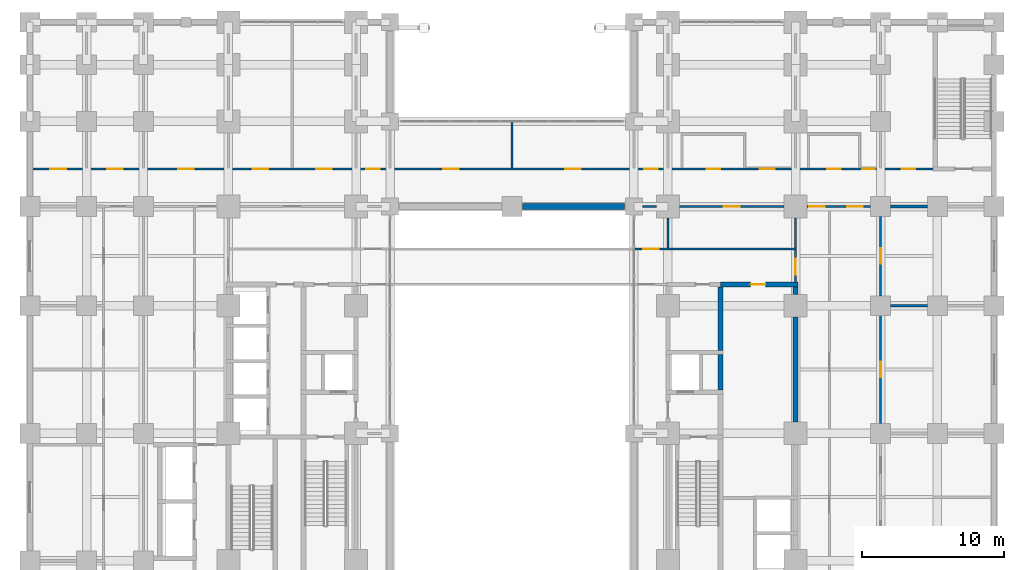
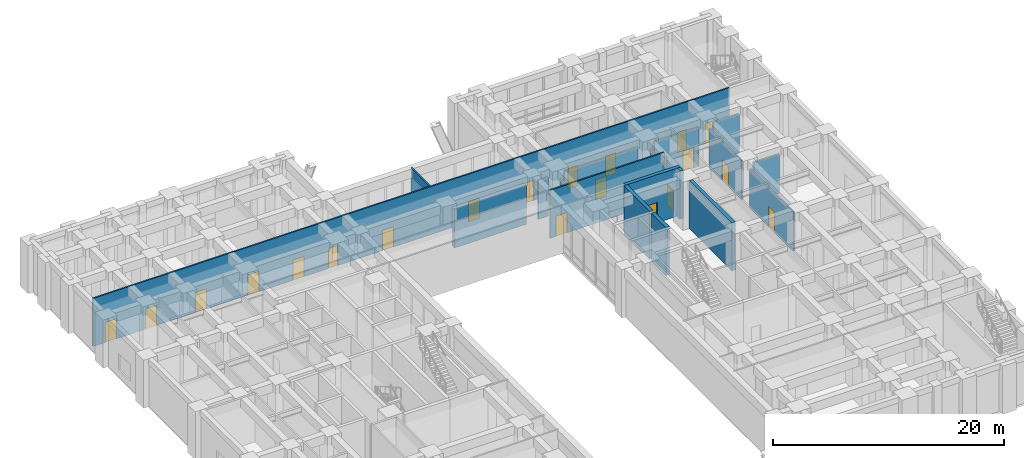
# One storey, part 15 of 23: 22 doors, 19 walls, 22 openings.
"""IFC4 building model written with IfcOpenShell, lengths in metres."""

from ifc_helpers import new_model, si_unit, direction, frame, frame_2d, origin, place, context, subcontext, project, spatial, rectangle, extrude, material, layer, layer_set, type_object, element, fill, save


model = new_model("IFC4")

# Units and contexts
model_context = context("Model", 3, precision=1e-05, world=origin(), true_north=direction((0.0, 1.0)))
body_context = subcontext(model_context, "Body", "Model", "MODEL_VIEW")
ifc_project = project(units=[si_unit("LENGTHUNIT", "METRE"), si_unit("AREAUNIT", "SQUARE_METRE"), si_unit("VOLUMEUNIT", "CUBIC_METRE"), si_unit("PLANEANGLEUNIT", "RADIAN"), si_unit("MASSUNIT", "GRAM", prefix="KILO")], contexts=[model_context])

# Site, building, storey
site_placement = place(None, origin())
site = spatial("IfcSite", under=ifc_project, at=site_placement, CompositionType="ELEMENT")
building_placement = place(site_placement, origin())
building = spatial("IfcBuilding", under=site, at=building_placement, Name="Zulmaris Gate Convention Tower", CompositionType="ELEMENT")
storey_placement = place(building_placement, frame((0.0, 0.0, 10.8798828125)))
storey = spatial("IfcBuildingStorey", under=building, at=storey_placement, Name="L02", CompositionType="ELEMENT", Elevation=10.8798828125)

# Wall, opening, door
ifc_material_1 = material(Name="Concrete C55/67", Category="concrete")
ifc_layer_1 = layer(ifc_material_1, 0.35009765625, Name="Concrete C55/67")
ifc_layer_set_1 = layer_set([ifc_layer_1], Name="Concrete C55/67")
wall_type_1 = type_object("IfcWallType", Name="CORE-350", PredefinedType="SHEAR", material=ifc_layer_set_1)
wall_1_placement = place(storey_placement, frame((14.699951171875, 10.5, 0.0), z_axis=(0.0, 0.0, 1.0), x_axis=(1.0, 0.0, 0.0)))
wall_1 = element("IfcWall", 1, at=wall_1_placement, inside=storey, type_object=wall_type_1, Name="WL-L02-026", PredefinedType="SHEAR", context=body_context, shape_type="SweptSolid", body=[
    extrude(rectangle(XDim=5.47509765625, YDim=0.35009765625, at=frame_2d((2.737548828125, 0.0))), origin(), (0.0, 0.0, 1.0), 5.09033203125),
])
opening_1_placement = place(wall_1_placement, frame((2.125, 0.0, 0.0)))
opening_1 = element("IfcOpeningElement", 2, at=opening_1_placement, cuts=wall_1, Name="Opening D-09", PredefinedType="OPENING", context=body_context, shape_type="SweptSolid", body=[
    extrude(rectangle(XDim=1.050048828125, YDim=2.14990234375, at=frame_2d((0.52490234375, 1.074951171875))), frame((0.0, 0.18505859375, 0.0), z_axis=(0.0, -1.0, 0.0), x_axis=(1.0, 0.0, 0.0)), (0.0, 0.0, 1.0), 0.3701171875),
])
ifc_material_2 = material(Name="Fire-Rated Steel", Category="steel")
door_type_1 = type_object("IfcDoorType", Name="DR-1050-FD", OperationType="NOTDEFINED", PredefinedType="DOOR", material=ifc_material_2)
door_1_placement = place(opening_1_placement, origin())
door_1 = element("IfcDoor", 3, at=door_1_placement, inside=storey, type_object=door_type_1, Name="L02 East Comms Room Door 16", OperationType="SINGLE_SWING_LEFT", OverallHeight=2.14990234375, OverallWidth=1.050048828125, PredefinedType="DOOR", context=body_context, shape_type="SweptSolid", body=[
    extrude(rectangle(XDim=1.050048828125, YDim=2.14990234375, at=frame_2d((0.52490234375, 1.074951171875))), frame((0.0, 0.02490234375, 0.0), z_axis=(0.0, -1.0, 0.0), x_axis=(1.0, 0.0, 0.0)), (0.0, 0.0, 1.0), 0.050048828125),
])
fill(opening_1, door_1)

# Walls
wall_2_placement = place(storey_placement, frame((14.699951171875, 3.052001953125, 0.0), z_axis=(0.0, 0.0, 1.0), x_axis=(0.0, 1.0, 0.0)))
element("IfcWall", 4, at=wall_2_placement, inside=storey, type_object=wall_type_1, Name="WL-L02-099", PredefinedType="SHEAR", context=body_context, shape_type="SweptSolid", body=[
    extrude(rectangle(XDim=2.49609375, YDim=0.35009765625, at=frame_2d((1.248046875, 0.0))), origin(), (0.0, 0.0, 1.0), 5.09033203125),
])
wall_3_placement = place(storey_placement, frame((14.699951171875, 5.85205078125, 0.0), z_axis=(0.0, 0.0, 1.0), x_axis=(0.0, 1.0, 0.0)))
element("IfcWall", 5, at=wall_3_placement, inside=storey, type_object=wall_type_1, Name="WL-L02-100", PredefinedType="SHEAR", context=body_context, shape_type="SweptSolid", body=[
    extrude(rectangle(XDim=4.470947265625, YDim=0.35009765625, at=frame_2d((2.2353515625, 0.0))), origin(), (0.0, 0.0, 1.0), 5.09033203125),
])
wall_4_placement = place(storey_placement, frame((20.0, 0.803955078125, 0.0), z_axis=(0.0, 0.0, 1.0), x_axis=(0.0, 1.0, 0.0)))
element("IfcWall", 6, at=wall_4_placement, inside=storey, type_object=wall_type_1, Name="WL-L02-105S1", PredefinedType="SHEAR", context=body_context, shape_type="SweptSolid", body=[
    extrude(rectangle(XDim=7.39208984375, YDim=0.35009765625, at=frame_2d((3.696044921875, 0.0))), origin(), (0.0, 0.0, 1.0), 5.09033203125),
])
wall_5_placement = place(storey_placement, frame((20.0, 9.803955078125, 0.0), z_axis=(0.0, 0.0, 1.0), x_axis=(0.0, 1.0, 0.0)))
element("IfcWall", 7, at=wall_5_placement, inside=storey, type_object=wall_type_1, Name="WL-L02-105S2", PredefinedType="SHEAR", context=body_context, shape_type="SweptSolid", body=[
    extrude(rectangle(XDim=0.51904296875, YDim=0.35009765625, at=frame_2d((0.259521484375, 0.0))), origin(), (0.0, 0.0, 1.0), 5.09033203125),
])

# Wall, opening, door
ifc_material_3 = material(Name="Gypsum Metal Stud Partition")
ifc_layer_2 = layer(ifc_material_3, 0.14990234375, Name="Gypsum Metal Stud Partition")
ifc_layer_set_2 = layer_set([ifc_layer_2], Name="Gypsum Metal Stud Partition")
wall_type_2 = type_object("IfcWallType", Name="PART-150", PredefinedType="PARTITIONING", material=ifc_layer_set_2)
wall_6_placement = place(storey_placement, frame((8.659912109375, 13.0, 0.0), z_axis=(0.0, 0.0, 1.0), x_axis=(1.0, 0.0, 0.0)))
wall_6 = element("IfcWall", 8, at=wall_6_placement, inside=storey, type_object=wall_type_2, Name="WL-L02-054", PredefinedType="PARTITIONING", context=body_context, shape_type="SweptSolid", body=[
    extrude(rectangle(XDim=11.4150390625, YDim=0.14990234375, at=frame_2d((5.70751953125, 0.0))), origin(), (0.0, 0.0, 1.0), 5.09033203125),
])
opening_2_placement = place(wall_6_placement, frame((0.590087890625, 0.0, 0.0)))
opening_2 = element("IfcOpeningElement", 9, at=opening_2_placement, cuts=wall_6, Name="Opening D-08", PredefinedType="OPENING", context=body_context, shape_type="SweptSolid", body=[
    extrude(rectangle(XDim=1.10009765625, YDim=2.14990234375, at=frame_2d((0.550048828125, 1.074951171875))), frame((0.0, 0.0849609375, 0.0), z_axis=(0.0, -1.0, 0.0), x_axis=(1.0, 0.0, 0.0)), (0.0, 0.0, 1.0), 0.169921875),
])
door_type_2 = type_object("IfcDoorType", Name="DR-1100-FD", OperationType="NOTDEFINED", PredefinedType="DOOR", material=ifc_material_2)
door_2_placement = place(opening_2_placement, origin())
door_2 = element("IfcDoor", 10, at=door_2_placement, inside=storey, type_object=door_type_2, Name="L02 East Spine North Door 34", OperationType="SINGLE_SWING_LEFT", OverallHeight=2.14990234375, OverallWidth=1.10009765625, PredefinedType="DOOR", context=body_context, shape_type="SweptSolid", body=[
    extrude(rectangle(XDim=1.10009765625, YDim=2.14990234375, at=frame_2d((0.550048828125, 1.074951171875))), frame((0.0, 0.02490234375, 0.0), z_axis=(0.0, -1.0, 0.0), x_axis=(1.0, 0.0, 0.0)), (0.0, 0.0, 1.0), 0.050048828125),
])
fill(opening_2, door_2)

# Wall
wall_7_placement = place(storey_placement, frame((9.2060546875, 16.0, 0.0), z_axis=(0.0, 0.0, 1.0), x_axis=(1.0, 0.0, 0.0)))
element("IfcWall", 11, at=wall_7_placement, inside=storey, type_object=wall_type_2, Name="WL-L02-059", PredefinedType="PARTITIONING", context=body_context, shape_type="SweptSolid", body=[
    extrude(rectangle(XDim=0.988037109375, YDim=0.14990234375, at=frame_2d((0.494140625, 0.0))), origin(), (0.0, 0.0, 1.0), 4.13232421875),
])

# Wall, opening, door
wall_8_placement = place(storey_placement, frame((11.805908203125, 16.0, 0.0), z_axis=(0.0, 0.0, 1.0), x_axis=(1.0, 0.0, 0.0)))
wall_8 = element("IfcWall", 12, at=wall_8_placement, inside=storey, type_object=wall_type_2, Name="WL-L02-060", PredefinedType="PARTITIONING", context=body_context, shape_type="SweptSolid", body=[
    extrude(rectangle(XDim=7.38818359375, YDim=0.14990234375, at=frame_2d((3.694091796875, 0.0))), origin(), (0.0, 0.0, 1.0), 4.13232421875),
])
opening_3_placement = place(wall_8_placement, frame((3.14404296875, 0.0, 0.0)))
opening_3 = element("IfcOpeningElement", 13, at=opening_3_placement, cuts=wall_8, Name="Opening D-21", PredefinedType="OPENING", context=body_context, shape_type="SweptSolid", body=[
    extrude(rectangle(XDim=1.10009765625, YDim=2.14990234375, at=frame_2d((0.550048828125, 1.074951171875))), frame((0.0, 0.0849609375, 0.0), z_axis=(0.0, -1.0, 0.0), x_axis=(1.0, 0.0, 0.0)), (0.0, 0.0, 1.0), 0.169921875),
])
ifc_material_4 = material(Name="Acoustic Hardwood Timber", Category="wood")
door_type_3 = type_object("IfcDoorType", Name="DR-1100", OperationType="NOTDEFINED", PredefinedType="DOOR", material=ifc_material_4)
door_3_placement = place(opening_3_placement, origin())
door_3 = element("IfcDoor", 14, at=door_3_placement, inside=storey, type_object=door_type_3, Name="L02 NE Breakout Salon Door 26", OperationType="SINGLE_SWING_LEFT", OverallHeight=2.14990234375, OverallWidth=1.10009765625, PredefinedType="DOOR", context=body_context, shape_type="SweptSolid", body=[
    extrude(rectangle(XDim=1.10009765625, YDim=2.14990234375, at=frame_2d((0.550048828125, 1.074951171875))), frame((0.0, 0.02490234375, 0.0), z_axis=(0.0, -1.0, 0.0), x_axis=(1.0, 0.0, 0.0)), (0.0, 0.0, 1.0), 0.050048828125),
])
fill(opening_3, door_3)

# Wall, openings, doors
wall_9_placement = place(storey_placement, frame((20.805908203125, 16.0, 0.0), z_axis=(0.0, 0.0, 1.0), x_axis=(1.0, 0.0, 0.0)))
wall_9 = element("IfcWall", 15, at=wall_9_placement, inside=storey, type_object=wall_type_2, Name="WL-L02-061", PredefinedType="PARTITIONING", context=body_context, shape_type="SweptSolid", body=[
    extrude(rectangle(XDim=4.488037109375, YDim=0.14990234375, at=frame_2d((2.244140625, 0.0))), origin(), (0.0, 0.0, 1.0), 4.13232421875),
])
opening_4_placement = place(wall_9_placement, frame((0.14990234375, 0.0, 0.0)))
opening_4 = element("IfcOpeningElement", 16, at=opening_4_placement, cuts=wall_9, Name="Opening D-08", PredefinedType="OPENING", context=body_context, shape_type="SweptSolid", body=[
    extrude(rectangle(XDim=1.10009765625, YDim=2.14990234375, at=frame_2d((0.550048828125, 1.074951171875))), frame((0.0, 0.0849609375, 0.0), z_axis=(0.0, -1.0, 0.0), x_axis=(1.0, 0.0, 0.0)), (0.0, 0.0, 1.0), 0.169921875),
])
opening_5_placement = place(wall_9_placement, frame((2.843994140625, 0.0, 0.0)))
opening_5 = element("IfcOpeningElement", 17, at=opening_5_placement, cuts=wall_9, Name="Opening D-08", PredefinedType="OPENING", context=body_context, shape_type="SweptSolid", body=[
    extrude(rectangle(XDim=1.10009765625, YDim=2.14990234375, at=frame_2d((0.550048828125, 1.074951171875))), frame((0.0, 0.0849609375, 0.0), z_axis=(0.0, -1.0, 0.0), x_axis=(1.0, 0.0, 0.0)), (0.0, 0.0, 1.0), 0.169921875),
])
door_4_placement = place(opening_4_placement, origin())
door_4 = element("IfcDoor", 18, at=door_4_placement, inside=storey, type_object=door_type_2, Name="L02 East Concourse Link Door 32", OperationType="SINGLE_SWING_LEFT", OverallHeight=2.14990234375, OverallWidth=1.10009765625, PredefinedType="DOOR", context=body_context, shape_type="SweptSolid", body=[
    extrude(rectangle(XDim=1.10009765625, YDim=2.14990234375, at=frame_2d((0.550048828125, 1.074951171875))), frame((0.0, 0.02490234375, 0.0), z_axis=(0.0, -1.0, 0.0), x_axis=(1.0, 0.0, 0.0)), (0.0, 0.0, 1.0), 0.050048828125),
])
fill(opening_4, door_4)
door_5_placement = place(opening_5_placement, origin())
door_5 = element("IfcDoor", 19, at=door_5_placement, inside=storey, type_object=door_type_2, Name="L02 East Promenade Concourse Door 68", OperationType="SINGLE_SWING_LEFT", OverallHeight=2.14990234375, OverallWidth=1.10009765625, PredefinedType="DOOR", context=body_context, shape_type="SweptSolid", body=[
    extrude(rectangle(XDim=1.10009765625, YDim=2.14990234375, at=frame_2d((0.550048828125, 1.074951171875))), frame((0.0, 0.02490234375, 0.0), z_axis=(0.0, -1.0, 0.0), x_axis=(1.0, 0.0, 0.0)), (0.0, 0.0, 1.0), 0.050048828125),
])
fill(opening_5, door_5)

wall_10_placement = place(storey_placement, frame((-33.8349609375, 18.64990234375, 0.0), z_axis=(0.0, 0.0, 1.0), x_axis=(1.0, 0.0, 0.0)))
wall_10 = element("IfcWall", 20, at=wall_10_placement, inside=storey, type_object=wall_type_2, Name="WL-L02-063", PredefinedType="PARTITIONING", context=body_context, shape_type="SweptSolid", body=[
    extrude(rectangle(XDim=63.68505859375, YDim=0.14990234375, at=frame_2d((31.842529296875, 0.0))), origin(), (0.0, 0.0, 1.0), 5.09033203125),
])
opening_6_placement = place(wall_10_placement, frame((1.284912109375, 0.0, 0.0)))
opening_6 = element("IfcOpeningElement", 21, at=opening_6_placement, cuts=wall_10, Name="Opening D-08", PredefinedType="OPENING", context=body_context, shape_type="SweptSolid", body=[
    extrude(rectangle(XDim=1.10009765625, YDim=2.14990234375, at=frame_2d((0.550048828125, 1.074951171875))), frame((0.0, 0.0849609375, 0.0), z_axis=(0.0, -1.0, 0.0), x_axis=(1.0, 0.0, 0.0)), (0.0, 0.0, 1.0), 0.169921875),
])
opening_7_placement = place(wall_10_placement, frame((5.284912109375, 0.0, 0.0)))
opening_7 = element("IfcOpeningElement", 22, at=opening_7_placement, cuts=wall_10, Name="Opening D-08", PredefinedType="OPENING", context=body_context, shape_type="SweptSolid", body=[
    extrude(rectangle(XDim=1.10009765625, YDim=2.14990234375, at=frame_2d((0.550048828125, 1.074951171875))), frame((0.0, 0.0849609375, 0.0), z_axis=(0.0, -1.0, 0.0), x_axis=(1.0, 0.0, 0.0)), (0.0, 0.0, 1.0), 0.169921875),
])
opening_8_placement = place(wall_10_placement, frame((10.284912109375, 0.0, 0.0)))
opening_8 = element("IfcOpeningElement", 23, at=opening_8_placement, cuts=wall_10, Name="Opening D-08", PredefinedType="OPENING", context=body_context, shape_type="SweptSolid", body=[
    extrude(rectangle(XDim=1.10009765625, YDim=2.14990234375, at=frame_2d((0.550048828125, 1.074951171875))), frame((0.0, 0.0849609375, 0.0), z_axis=(0.0, -1.0, 0.0), x_axis=(1.0, 0.0, 0.0)), (0.0, 0.0, 1.0), 0.169921875),
])
opening_9_placement = place(wall_10_placement, frame((15.534912109375, 0.0, 0.0)))
opening_9 = element("IfcOpeningElement", 24, at=opening_9_placement, cuts=wall_10, Name="Opening D-08", PredefinedType="OPENING", context=body_context, shape_type="SweptSolid", body=[
    extrude(rectangle(XDim=1.10009765625, YDim=2.14990234375, at=frame_2d((0.550048828125, 1.074951171875))), frame((0.0, 0.0849609375, 0.0), z_axis=(0.0, -1.0, 0.0), x_axis=(1.0, 0.0, 0.0)), (0.0, 0.0, 1.0), 0.169921875),
])
opening_10_placement = place(wall_10_placement, frame((20.034912109375, 0.0, 0.0)))
opening_10 = element("IfcOpeningElement", 25, at=opening_10_placement, cuts=wall_10, Name="Opening D-08", PredefinedType="OPENING", context=body_context, shape_type="SweptSolid", body=[
    extrude(rectangle(XDim=1.10009765625, YDim=2.14990234375, at=frame_2d((0.550048828125, 1.074951171875))), frame((0.0, 0.0849609375, 0.0), z_axis=(0.0, -1.0, 0.0), x_axis=(1.0, 0.0, 0.0)), (0.0, 0.0, 1.0), 0.169921875),
])
opening_11_placement = place(wall_10_placement, frame((23.56005859375, 0.0, 0.0)))
opening_11 = element("IfcOpeningElement", 26, at=opening_11_placement, cuts=wall_10, Name="Opening D-11", PredefinedType="OPENING", context=body_context, shape_type="SweptSolid", body=[
    extrude(rectangle(XDim=0.949951171875, YDim=2.14990234375, at=frame_2d((0.47509765625, 1.074951171875))), frame((0.0, 0.0849609375, 0.0), z_axis=(0.0, -1.0, 0.0), x_axis=(1.0, 0.0, 0.0)), (0.0, 0.0, 1.0), 0.169921875),
])
opening_12_placement = place(wall_10_placement, frame((28.985107421875, 0.0, 0.0)))
opening_12 = element("IfcOpeningElement", 27, at=opening_12_placement, cuts=wall_10, Name="Opening D-08", PredefinedType="OPENING", context=body_context, shape_type="SweptSolid", body=[
    extrude(rectangle(XDim=1.10009765625, YDim=2.14990234375, at=frame_2d((0.550048828125, 1.074951171875))), frame((0.0, 0.0849609375, 0.0), z_axis=(0.0, -1.0, 0.0), x_axis=(1.0, 0.0, 0.0)), (0.0, 0.0, 1.0), 0.169921875),
])
opening_13_placement = place(wall_10_placement, frame((37.5849609375, 0.0, 0.0)))
opening_13 = element("IfcOpeningElement", 28, at=opening_13_placement, cuts=wall_10, Name="Opening D-08", PredefinedType="OPENING", context=body_context, shape_type="SweptSolid", body=[
    extrude(rectangle(XDim=1.10009765625, YDim=2.14990234375, at=frame_2d((0.550048828125, 1.074951171875))), frame((0.0, 0.0849609375, 0.0), z_axis=(0.0, -1.0, 0.0), x_axis=(1.0, 0.0, 0.0)), (0.0, 0.0, 1.0), 0.169921875),
])
opening_14_placement = place(wall_10_placement, frame((43.159912109375, 0.0, 0.0)))
opening_14 = element("IfcOpeningElement", 29, at=opening_14_placement, cuts=wall_10, Name="Opening D-11", PredefinedType="OPENING", context=body_context, shape_type="SweptSolid", body=[
    extrude(rectangle(XDim=0.949951171875, YDim=2.14990234375, at=frame_2d((0.47509765625, 1.074951171875))), frame((0.0, 0.0849609375, 0.0), z_axis=(0.0, -1.0, 0.0), x_axis=(1.0, 0.0, 0.0)), (0.0, 0.0, 1.0), 0.169921875),
])
opening_15_placement = place(wall_10_placement, frame((61.31005859375, 0.0, 0.0)))
opening_15 = element("IfcOpeningElement", 30, at=opening_15_placement, cuts=wall_10, Name="Opening D-11", PredefinedType="OPENING", context=body_context, shape_type="SweptSolid", body=[
    extrude(rectangle(XDim=0.949951171875, YDim=2.14990234375, at=frame_2d((0.47509765625, 1.074951171875))), frame((0.0, 0.0849609375, 0.0), z_axis=(0.0, -1.0, 0.0), x_axis=(1.0, 0.0, 0.0)), (0.0, 0.0, 1.0), 0.169921875),
])
opening_16_placement = place(wall_10_placement, frame((47.56005859375, 0.0, 0.0)))
opening_16 = element("IfcOpeningElement", 31, at=opening_16_placement, cuts=wall_10, Name="Opening D-11", PredefinedType="OPENING", context=body_context, shape_type="SweptSolid", body=[
    extrude(rectangle(XDim=0.949951171875, YDim=2.14990234375, at=frame_2d((0.47509765625, 1.074951171875))), frame((0.0, 0.0849609375, 0.0), z_axis=(0.0, -1.0, 0.0), x_axis=(1.0, 0.0, 0.0)), (0.0, 0.0, 1.0), 0.169921875),
])
opening_17_placement = place(wall_10_placement, frame((51.31005859375, 0.0, 0.0)))
opening_17 = element("IfcOpeningElement", 32, at=opening_17_placement, cuts=wall_10, Name="Opening D-09", PredefinedType="OPENING", context=body_context, shape_type="SweptSolid", body=[
    extrude(rectangle(XDim=1.050048828125, YDim=2.14990234375, at=frame_2d((0.52490234375, 1.074951171875))), frame((0.0, 0.0849609375, 0.0), z_axis=(0.0, -1.0, 0.0), x_axis=(1.0, 0.0, 0.0)), (0.0, 0.0, 1.0), 0.169921875),
])
opening_18_placement = place(wall_10_placement, frame((56.06005859375, 0.0, 0.0)))
opening_18 = element("IfcOpeningElement", 33, at=opening_18_placement, cuts=wall_10, Name="Opening D-11", PredefinedType="OPENING", context=body_context, shape_type="SweptSolid", body=[
    extrude(rectangle(XDim=0.949951171875, YDim=2.14990234375, at=frame_2d((0.47509765625, 1.074951171875))), frame((0.0, 0.0849609375, 0.0), z_axis=(0.0, -1.0, 0.0), x_axis=(1.0, 0.0, 0.0)), (0.0, 0.0, 1.0), 0.169921875),
])
opening_19_placement = place(wall_10_placement, frame((58.534912109375, 0.0, 0.0)))
opening_19 = element("IfcOpeningElement", 34, at=opening_19_placement, cuts=wall_10, Name="Opening D-12", PredefinedType="OPENING", context=body_context, shape_type="SweptSolid", body=[
    extrude(rectangle(XDim=0.89990234375, YDim=2.14990234375, at=frame_2d((0.449951171875, 1.074951171875))), frame((0.0, 0.0849609375, 0.0), z_axis=(0.0, -1.0, 0.0), x_axis=(1.0, 0.0, 0.0)), (0.0, 0.0, 1.0), 0.169921875),
])
door_6_placement = place(opening_17_placement, origin())
door_6 = element("IfcDoor", 35, at=door_6_placement, inside=storey, type_object=door_type_1, Name="L02 NE Delegate Salon Door 56", OperationType="SINGLE_SWING_LEFT", OverallHeight=2.14990234375, OverallWidth=1.050048828125, PredefinedType="DOOR", context=body_context, shape_type="SweptSolid", body=[
    extrude(rectangle(XDim=1.050048828125, YDim=2.14990234375, at=frame_2d((0.52490234375, 1.074951171875))), frame((0.0, 0.02490234375, 0.0), z_axis=(0.0, -1.0, 0.0), x_axis=(1.0, 0.0, 0.0)), (0.0, 0.0, 1.0), 0.050048828125),
])
fill(opening_17, door_6)
door_7_placement = place(opening_6_placement, origin())
door_7 = element("IfcDoor", 36, at=door_7_placement, inside=storey, type_object=door_type_2, Name="L02 Delegate Briefing Room N1 Door 45", OperationType="SINGLE_SWING_RIGHT", OverallHeight=2.14990234375, OverallWidth=1.10009765625, PredefinedType="DOOR", context=body_context, shape_type="SweptSolid", body=[
    extrude(rectangle(XDim=1.10009765625, YDim=2.14990234375, at=frame_2d((0.550048828125, 1.074951171875))), frame((0.0, 0.02490234375, 0.0), z_axis=(0.0, -1.0, 0.0), x_axis=(1.0, 0.0, 0.0)), (0.0, 0.0, 1.0), 0.050048828125),
])
fill(opening_6, door_7)
door_8_placement = place(opening_7_placement, origin())
door_8 = element("IfcDoor", 37, at=door_8_placement, inside=storey, type_object=door_type_2, Name="L02 VIP Delegate Lounge N2 Door 46", OperationType="SINGLE_SWING_LEFT", OverallHeight=2.14990234375, OverallWidth=1.10009765625, PredefinedType="DOOR", context=body_context, shape_type="SweptSolid", body=[
    extrude(rectangle(XDim=1.10009765625, YDim=2.14990234375, at=frame_2d((0.550048828125, 1.074951171875))), frame((0.0, 0.02490234375, 0.0), z_axis=(0.0, -1.0, 0.0), x_axis=(1.0, 0.0, 0.0)), (0.0, 0.0, 1.0), 0.050048828125),
])
fill(opening_7, door_8)
door_9_placement = place(opening_8_placement, origin())
door_9 = element("IfcDoor", 38, at=door_9_placement, inside=storey, type_object=door_type_2, Name="L02 Board Secretariat Office N3 Door 47", OperationType="SINGLE_SWING_RIGHT", OverallHeight=2.14990234375, OverallWidth=1.10009765625, PredefinedType="DOOR", context=body_context, shape_type="SweptSolid", body=[
    extrude(rectangle(XDim=1.10009765625, YDim=2.14990234375, at=frame_2d((0.550048828125, 1.074951171875))), frame((0.0, 0.02490234375, 0.0), z_axis=(0.0, -1.0, 0.0), x_axis=(1.0, 0.0, 0.0)), (0.0, 0.0, 1.0), 0.050048828125),
])
fill(opening_8, door_9)
door_10_placement = place(opening_9_placement, origin())
door_10 = element("IfcDoor", 39, at=door_10_placement, inside=storey, type_object=door_type_2, Name="L02 Convention Seminar Room N4 Door 48", OperationType="SINGLE_SWING_LEFT", OverallHeight=2.14990234375, OverallWidth=1.10009765625, PredefinedType="DOOR", context=body_context, shape_type="SweptSolid", body=[
    extrude(rectangle(XDim=1.10009765625, YDim=2.14990234375, at=frame_2d((0.550048828125, 1.074951171875))), frame((0.0, 0.02490234375, 0.0), z_axis=(0.0, -1.0, 0.0), x_axis=(1.0, 0.0, 0.0)), (0.0, 0.0, 1.0), 0.050048828125),
])
fill(opening_9, door_10)
door_11_placement = place(opening_10_placement, origin())
door_11 = element("IfcDoor", 40, at=door_11_placement, inside=storey, type_object=door_type_2, Name="L02 Delegate Briefing Room N5 Door 49", OperationType="SINGLE_SWING_RIGHT", OverallHeight=2.14990234375, OverallWidth=1.10009765625, PredefinedType="DOOR", context=body_context, shape_type="SweptSolid", body=[
    extrude(rectangle(XDim=1.10009765625, YDim=2.14990234375, at=frame_2d((0.550048828125, 1.074951171875))), frame((0.0, 0.02490234375, 0.0), z_axis=(0.0, -1.0, 0.0), x_axis=(1.0, 0.0, 0.0)), (0.0, 0.0, 1.0), 0.050048828125),
])
fill(opening_10, door_11)
door_12_placement = place(opening_12_placement, origin())
door_12 = element("IfcDoor", 41, at=door_12_placement, inside=storey, type_object=door_type_2, Name="L02 North Arch Gallery West Door 51", OperationType="SINGLE_SWING_RIGHT", OverallHeight=2.14990234375, OverallWidth=1.10009765625, PredefinedType="DOOR", context=body_context, shape_type="SweptSolid", body=[
    extrude(rectangle(XDim=1.10009765625, YDim=2.14990234375, at=frame_2d((0.550048828125, 1.074951171875))), frame((0.0, 0.02490234375, 0.0), z_axis=(0.0, -1.0, 0.0), x_axis=(1.0, 0.0, 0.0)), (0.0, 0.0, 1.0), 0.050048828125),
])
fill(opening_12, door_12)
door_13_placement = place(opening_13_placement, origin())
door_13 = element("IfcDoor", 42, at=door_13_placement, inside=storey, type_object=door_type_2, Name="L02 North Arch Gallery East Door 52", OperationType="SINGLE_SWING_LEFT", OverallHeight=2.14990234375, OverallWidth=1.10009765625, PredefinedType="DOOR", context=body_context, shape_type="SweptSolid", body=[
    extrude(rectangle(XDim=1.10009765625, YDim=2.14990234375, at=frame_2d((0.550048828125, 1.074951171875))), frame((0.0, 0.02490234375, 0.0), z_axis=(0.0, -1.0, 0.0), x_axis=(1.0, 0.0, 0.0)), (0.0, 0.0, 1.0), 0.050048828125),
])
fill(opening_13, door_13)
ifc_material_5 = material(Name="Fire-Rated Timber", Category="wood")
door_type_4 = type_object("IfcDoorType", Name="DR-900-FD", OperationType="NOTDEFINED", PredefinedType="DOOR", material=ifc_material_5)
door_14_placement = place(opening_19_placement, origin())
door_14 = element("IfcDoor", 43, at=door_14_placement, inside=storey, type_object=door_type_4, Name="L02 Prep Kitchen Door 58", OperationType="SINGLE_SWING_LEFT", OverallHeight=2.14990234375, OverallWidth=0.89990234375, PredefinedType="DOOR", context=body_context, shape_type="SweptSolid", body=[
    extrude(rectangle(XDim=0.89990234375, YDim=2.14990234375, at=frame_2d((0.449951171875, 1.074951171875))), frame((0.0, 0.02490234375, 0.0), z_axis=(0.0, -1.0, 0.0), x_axis=(1.0, 0.0, 0.0)), (0.0, 0.0, 1.0), 0.050048828125),
])
fill(opening_19, door_14)
door_type_5 = type_object("IfcDoorType", Name="DR-950-FD", OperationType="NOTDEFINED", PredefinedType="DOOR", material=ifc_material_5)
door_15_placement = place(opening_11_placement, origin())
door_15 = element("IfcDoor", 44, at=door_15_placement, inside=storey, type_object=door_type_5, Name="L02 NW Translation Office Door 50", OperationType="SINGLE_SWING_LEFT", OverallHeight=2.14990234375, OverallWidth=0.949951171875, PredefinedType="DOOR", context=body_context, shape_type="SweptSolid", body=[
    extrude(rectangle(XDim=0.949951171875, YDim=2.14990234375, at=frame_2d((0.47509765625, 1.074951171875))), frame((0.0, 0.02490234375, 0.0), z_axis=(0.0, -1.0, 0.0), x_axis=(1.0, 0.0, 0.0)), (0.0, 0.0, 1.0), 0.050048828125),
])
fill(opening_11, door_15)
door_16_placement = place(opening_14_placement, origin())
door_16 = element("IfcDoor", 45, at=door_16_placement, inside=storey, type_object=door_type_5, Name="L02 NE Translation Office Door 53", OperationType="SINGLE_SWING_RIGHT", OverallHeight=2.14990234375, OverallWidth=0.949951171875, PredefinedType="DOOR", context=body_context, shape_type="SweptSolid", body=[
    extrude(rectangle(XDim=0.949951171875, YDim=2.14990234375, at=frame_2d((0.47509765625, 1.074951171875))), frame((0.0, 0.02490234375, 0.0), z_axis=(0.0, -1.0, 0.0), x_axis=(1.0, 0.0, 0.0)), (0.0, 0.0, 1.0), 0.050048828125),
])
fill(opening_14, door_16)
door_17_placement = place(opening_15_placement, origin())
door_17 = element("IfcDoor", 46, at=door_17_placement, inside=storey, type_object=door_type_5, Name="L02 Secretariat Office Door 54", OperationType="SINGLE_SWING_LEFT", OverallHeight=2.14990234375, OverallWidth=0.949951171875, PredefinedType="DOOR", context=body_context, shape_type="SweptSolid", body=[
    extrude(rectangle(XDim=0.949951171875, YDim=2.14990234375, at=frame_2d((0.47509765625, 1.074951171875))), frame((0.0, 0.02490234375, 0.0), z_axis=(0.0, -1.0, 0.0), x_axis=(1.0, 0.0, 0.0)), (0.0, 0.0, 1.0), 0.050048828125),
])
fill(opening_15, door_17)
door_18_placement = place(opening_16_placement, origin())
door_18 = element("IfcDoor", 47, at=door_18_placement, inside=storey, type_object=door_type_5, Name="L02 Public Washrooms WC Door 55", OperationType="SINGLE_SWING_RIGHT", OverallHeight=2.14990234375, OverallWidth=0.949951171875, PredefinedType="DOOR", context=body_context, shape_type="SweptSolid", body=[
    extrude(rectangle(XDim=0.949951171875, YDim=2.14990234375, at=frame_2d((0.47509765625, 1.074951171875))), frame((0.0, 0.02490234375, 0.0), z_axis=(0.0, -1.0, 0.0), x_axis=(1.0, 0.0, 0.0)), (0.0, 0.0, 1.0), 0.050048828125),
])
fill(opening_16, door_18)
door_19_placement = place(opening_18_placement, origin())
door_19 = element("IfcDoor", 48, at=door_19_placement, inside=storey, type_object=door_type_5, Name="L02 Accessible WC Door 57", OperationType="SINGLE_SWING_RIGHT", OverallHeight=2.14990234375, OverallWidth=0.949951171875, PredefinedType="DOOR", context=body_context, shape_type="SweptSolid", body=[
    extrude(rectangle(XDim=0.949951171875, YDim=2.14990234375, at=frame_2d((0.47509765625, 1.074951171875))), frame((0.0, 0.02490234375, 0.0), z_axis=(0.0, -1.0, 0.0), x_axis=(1.0, 0.0, 0.0)), (0.0, 0.0, 1.0), 0.050048828125),
])
fill(opening_18, door_19)

# Walls
wall_11_placement = place(storey_placement, frame((0.0, 18.72802734375, 0.0), z_axis=(0.0, 0.0, 1.0), x_axis=(0.0, 1.0, 0.0)))
element("IfcWall", 49, at=wall_11_placement, inside=storey, type_object=wall_type_2, Name="WL-L02-133", PredefinedType="PARTITIONING", context=body_context, shape_type="SweptSolid", body=[
    extrude(rectangle(XDim=3.2119140625, YDim=0.14990234375, at=frame_2d((1.60595703125, 0.0))), origin(), (0.0, 0.0, 1.0), 5.09033203125),
])
wall_12_placement = place(storey_placement, frame((11.0, 13.077880859375, 0.0), z_axis=(0.0, 0.0, 1.0), x_axis=(0.0, 1.0, 0.0)))
element("IfcWall", 50, at=wall_12_placement, inside=storey, type_object=wall_type_2, Name="WL-L02-136", PredefinedType="PARTITIONING", context=body_context, shape_type="SweptSolid", body=[
    extrude(rectangle(XDim=2.1162109375, YDim=0.14990234375, at=frame_2d((1.05810546875, 0.0))), origin(), (0.0, 0.0, 1.0), 4.13232421875),
])

# Wall, opening, door
wall_13_placement = place(storey_placement, frame((20.0, 10.677978515625, 0.0), z_axis=(0.0, 0.0, 1.0), x_axis=(0.0, 1.0, 0.0)))
wall_13 = element("IfcWall", 51, at=wall_13_placement, inside=storey, type_object=wall_type_2, Name="WL-L02-142", PredefinedType="PARTITIONING", context=body_context, shape_type="SweptSolid", body=[
    extrude(rectangle(XDim=2.244140625, YDim=0.14990234375, at=frame_2d((1.1220703125, 0.0))), origin(), (0.0, 0.0, 1.0), 4.13232421875),
])
opening_20_placement = place(wall_13_placement, frame((0.52197265625, 0.0, 0.0)))
opening_20 = element("IfcOpeningElement", 52, at=opening_20_placement, cuts=wall_13, Name="Opening D-08", PredefinedType="OPENING", context=body_context, shape_type="SweptSolid", body=[
    extrude(rectangle(XDim=1.10009765625, YDim=2.14990234375, at=frame_2d((0.550048828125, 1.074951171875))), frame((0.0, 0.0849609375, 0.0), z_axis=(0.0, -1.0, 0.0), x_axis=(1.0, 0.0, 0.0)), (0.0, 0.0, 1.0), 0.169921875),
])
door_20_placement = place(opening_20_placement, origin())
door_20 = element("IfcDoor", 53, at=door_20_placement, inside=storey, type_object=door_type_2, Name="L02 East Passage North Door 40", OperationType="SINGLE_SWING_LEFT", OverallHeight=2.14990234375, OverallWidth=1.10009765625, PredefinedType="DOOR", context=body_context, shape_type="SweptSolid", body=[
    extrude(rectangle(XDim=1.10009765625, YDim=2.14990234375, at=frame_2d((0.550048828125, 1.074951171875))), frame((0.0, 0.02490234375, 0.0), z_axis=(0.0, -1.0, 0.0), x_axis=(1.0, 0.0, 0.0)), (0.0, 0.0, 1.0), 0.050048828125),
])
fill(opening_20, door_20)

# Wall
wall_14_placement = place(storey_placement, frame((20.0, 13.077880859375, 0.0), z_axis=(0.0, 0.0, 1.0), x_axis=(0.0, 1.0, 0.0)))
element("IfcWall", 54, at=wall_14_placement, inside=storey, type_object=wall_type_2, Name="WL-L02-143", PredefinedType="PARTITIONING", context=body_context, shape_type="SweptSolid", body=[
    extrude(rectangle(XDim=2.1162109375, YDim=0.14990234375, at=frame_2d((1.05810546875, 0.0))), origin(), (0.0, 0.0, 1.0), 4.13232421875),
])

# Wall, opening, door
wall_15_placement = place(storey_placement, frame((26.0, 0.7060546875, 0.0), z_axis=(0.0, 0.0, 1.0), x_axis=(0.0, 1.0, 0.0)))
wall_15 = element("IfcWall", 55, at=wall_15_placement, inside=storey, type_object=wall_type_2, Name="WL-L02-152", PredefinedType="PARTITIONING", context=body_context, shape_type="SweptSolid", body=[
    extrude(rectangle(XDim=7.587890625, YDim=0.14990234375, at=frame_2d((3.7939453125, 0.0))), origin(), (0.0, 0.0, 1.0), 4.13232421875),
])
opening_21_placement = place(wall_15_placement, frame((3.243896484375, 0.0, 0.0)))
opening_21 = element("IfcOpeningElement", 56, at=opening_21_placement, cuts=wall_15, Name="Opening D-08", PredefinedType="OPENING", context=body_context, shape_type="SweptSolid", body=[
    extrude(rectangle(XDim=1.10009765625, YDim=2.14990234375, at=frame_2d((0.550048828125, 1.074951171875))), frame((0.0, 0.0849609375, 0.0), z_axis=(0.0, -1.0, 0.0), x_axis=(1.0, 0.0, 0.0)), (0.0, 0.0, 1.0), 0.169921875),
])
door_21_placement = place(opening_21_placement, origin())
door_21 = element("IfcDoor", 57, at=door_21_placement, inside=storey, type_object=door_type_2, Name="L02 East Room E4 Door 73", OperationType="SINGLE_SWING_RIGHT", OverallHeight=2.14990234375, OverallWidth=1.10009765625, PredefinedType="DOOR", context=body_context, shape_type="SweptSolid", body=[
    extrude(rectangle(XDim=1.10009765625, YDim=2.14990234375, at=frame_2d((0.550048828125, 1.074951171875))), frame((0.0, 0.02490234375, 0.0), z_axis=(0.0, -1.0, 0.0), x_axis=(1.0, 0.0, 0.0)), (0.0, 0.0, 1.0), 0.050048828125),
])
fill(opening_21, door_21)

wall_16_placement = place(storey_placement, frame((26.0, 9.7060546875, 0.0), z_axis=(0.0, 0.0, 1.0), x_axis=(0.0, 1.0, 0.0)))
wall_16 = element("IfcWall", 58, at=wall_16_placement, inside=storey, type_object=wall_type_2, Name="WL-L02-153", PredefinedType="PARTITIONING", context=body_context, shape_type="SweptSolid", body=[
    extrude(rectangle(XDim=5.587890625, YDim=0.14990234375, at=frame_2d((2.7939453125, 0.0))), origin(), (0.0, 0.0, 1.0), 4.13232421875),
])
opening_22_placement = place(wall_16_placement, frame((2.243896484375, 0.0, 0.0)))
opening_22 = element("IfcOpeningElement", 59, at=opening_22_placement, cuts=wall_16, Name="Opening D-08", PredefinedType="OPENING", context=body_context, shape_type="SweptSolid", body=[
    extrude(rectangle(XDim=1.10009765625, YDim=2.14990234375, at=frame_2d((0.550048828125, 1.074951171875))), frame((0.0, 0.0849609375, 0.0), z_axis=(0.0, -1.0, 0.0), x_axis=(1.0, 0.0, 0.0)), (0.0, 0.0, 1.0), 0.169921875),
])
door_22_placement = place(opening_22_placement, origin())
door_22 = element("IfcDoor", 60, at=door_22_placement, inside=storey, type_object=door_type_2, Name="L02 East Room E5 Door 74", OperationType="SINGLE_SWING_LEFT", OverallHeight=2.14990234375, OverallWidth=1.10009765625, PredefinedType="DOOR", context=body_context, shape_type="SweptSolid", body=[
    extrude(rectangle(XDim=1.10009765625, YDim=2.14990234375, at=frame_2d((0.550048828125, 1.074951171875))), frame((0.0, 0.02490234375, 0.0), z_axis=(0.0, -1.0, 0.0), x_axis=(1.0, 0.0, 0.0)), (0.0, 0.0, 1.0), 0.050048828125),
])
fill(opening_22, door_22)

# Walls
ifc_material_6 = material(Name="Autoclaved Aerated Concrete Block and Plasterboard", Category="concrete")
ifc_layer_3 = layer(ifc_material_6, 0.199951171875, Name="Autoclaved Aerated Concrete Block and Plasterboard")
ifc_layer_set_3 = layer_set([ifc_layer_3], Name="Autoclaved Aerated Concrete Block and Plasterboard")
wall_type_3 = type_object("IfcWallType", Name="PART-200", PredefinedType="PARTITIONING", material=ifc_layer_set_3)
for number, where, z_axis, x_axis, name in (
    (61, (26.7060546875, 9.0, 0.0), (0.0, 0.0, 1.0), (1.0, 0.0, 0.0), "WL-L02-048"),
    (62, (26.7060546875, 16.0, 0.0), (0.0, 0.0, 1.0), (1.0, 0.0, 0.0), "WL-L02-062"),
):
    element("IfcWall", number, at=place(storey_placement, frame(where, z_axis=z_axis, x_axis=x_axis)), inside=storey, type_object=wall_type_3, Name=name, PredefinedType="PARTITIONING", context=body_context, shape_type="SweptSolid", body=[
        extrude(rectangle(XDim=2.587890625, YDim=0.199951171875, at=frame_2d((1.2939453125, 0.0))), origin(), (0.0, 0.0, 1.0), 4.13232421875),
    ])
ifc_material_7 = material(Name="Precast concrete C50/60", Category="concrete")
ifc_layer_4 = layer(ifc_material_7, 0.39990234375, Name="Precast concrete C50/60")
ifc_layer_set_4 = layer_set([ifc_layer_4], Name="Precast concrete C50/60")
wall_type_4 = type_object("IfcWallType", Name="PRECAST-ARCH-400", PredefinedType="STANDARD", material=ifc_layer_set_4)
wall_17_placement = place(storey_placement, frame((0.72998046875, 16.0, 0.0), z_axis=(0.0, 0.0, 1.0), x_axis=(1.0, 0.0, 0.0)))
element("IfcWall", 63, at=wall_17_placement, inside=storey, type_object=wall_type_4, Name="EW-L02-ARCH-N_1", PredefinedType="STANDARD", context=body_context, shape_type="SweptSolid", body=[
    extrude(rectangle(XDim=7.219970703125, YDim=0.39990234375, at=frame_2d((3.60986328125, 0.0))), origin(), (0.0, 0.0, 1.0), 4.13232421875),
])

save(model, "model.ifc")
